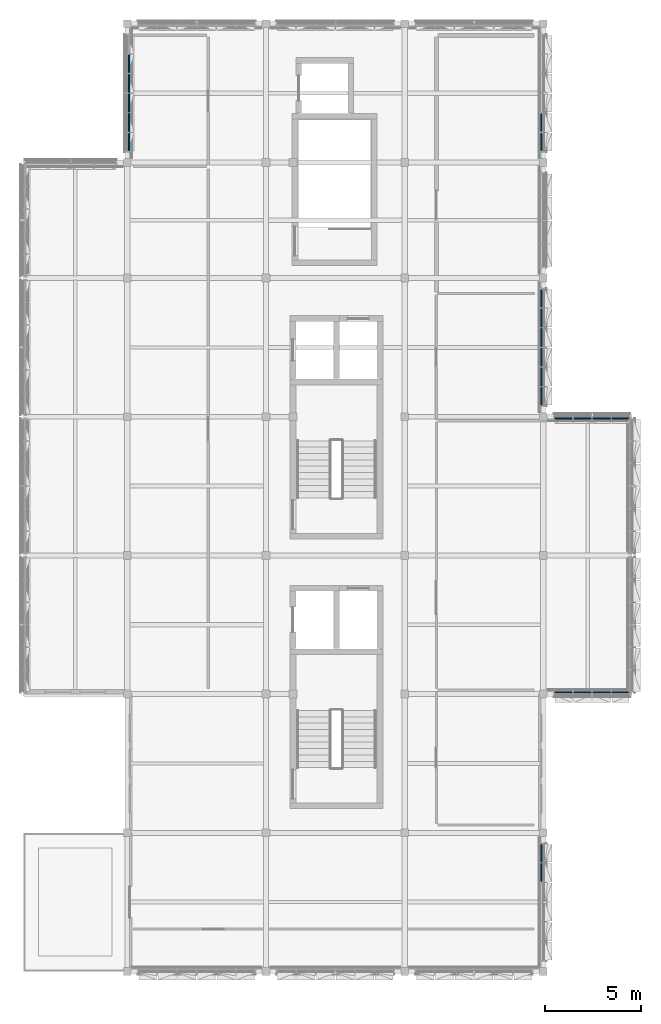
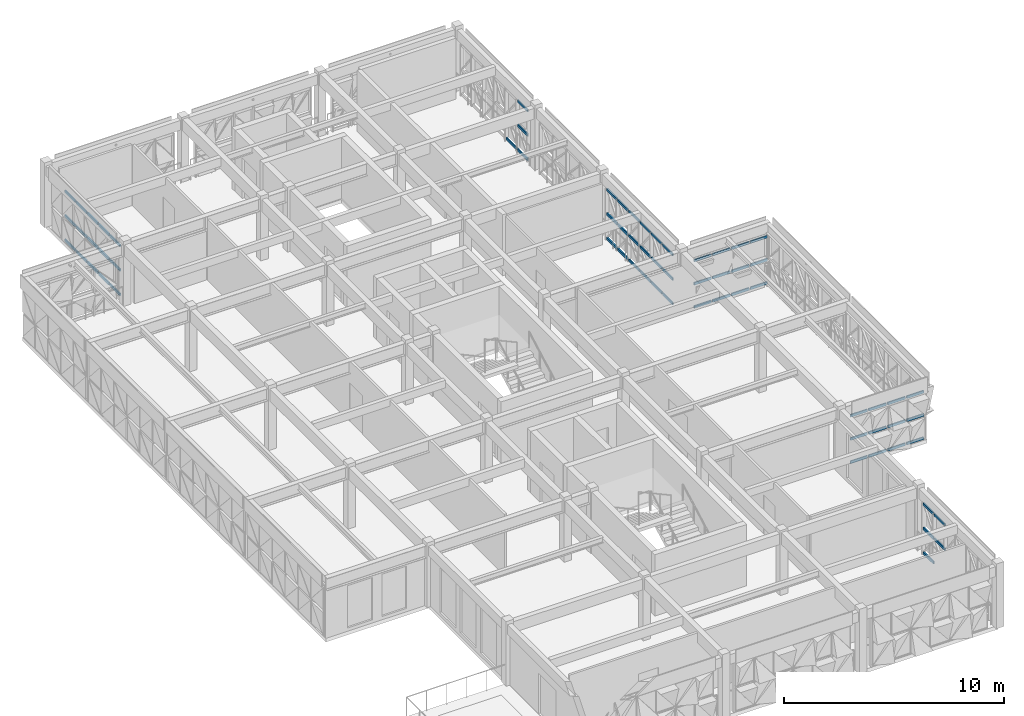
# One storey, part 9 of 25: 66 members, 6 elements without a shape of their own.
"""IFC4 building model written with IfcOpenShell, lengths in metres."""

from ifc_helpers import new_model, si_unit, direction, frame, origin, origin_2d, place, context, subcontext, project, spatial, rectangle, extrude, material, material_profile, profile_set, type_object, element, aggregate, save


model = new_model("IFC4")

# Units and contexts
model_context = context("Model", 3, precision=1e-05, world=origin(), true_north=direction((0.0, 1.0)))
body_context = subcontext(model_context, "Body", "Model", "MODEL_VIEW")
ifc_project = project(units=[si_unit("LENGTHUNIT", "METRE"), si_unit("AREAUNIT", "SQUARE_METRE"), si_unit("VOLUMEUNIT", "CUBIC_METRE"), si_unit("PLANEANGLEUNIT", "RADIAN"), si_unit("MASSUNIT", "GRAM", prefix="KILO")], contexts=[model_context])

# Site, building, storey
site_placement = place(None, origin())
site = spatial("IfcSite", under=ifc_project, at=site_placement, CompositionType="ELEMENT")
building_placement = place(site_placement, origin())
building = spatial("IfcBuilding", under=site, at=building_placement, Name="Alvorim Cloister Faculty of Sciences", CompositionType="ELEMENT")
storey_placement = place(building_placement, frame((0.0, 0.0, 29.699951171875)))
storey = spatial("IfcBuildingStorey", under=building, at=storey_placement, Name="L08", CompositionType="ELEMENT", Elevation=29.699951171875)

# Curtain wall, members
ifc_material_1 = material(Name="Aluminium and Low-E Glass Curtain Wall", Category="aluminium")
curtain_wall_type_1 = type_object("IfcCurtainWallType", Name="CW-TRI-6120x2860", PredefinedType="USERDEFINED", material=ifc_material_1)
curtain_wall_1_placement = place(storey_placement, origin())
curtain_wall_1 = element("IfcCurtainWall", 1, at=curtain_wall_1_placement, inside=storey, type_object=curtain_wall_type_1, Name="L08 Diagonal Cassette Curtain Wall CW-0286", ObjectType="UNITISED CURTAIN WALL", PredefinedType="USERDEFINED")
ifc_material_2 = material(Name="Aluminium Alloy 6063-T6", Category="aluminium")
ifc_material_profile = material_profile(ifc_material_2, rectangle(XDim=0.06494140625, YDim=0.139892578125, at=origin_2d()), Name="ALU-TRN-65x140")
ifc_profile_set = profile_set([ifc_material_profile], Name="Aluminium Alloy 6063-T6")
member_type = type_object("IfcMemberType", Name="CW-TRN-65x140", PredefinedType="USERDEFINED", material=ifc_profile_set)
member_1_placement = place(storey_placement, frame((7.2900390625, 49.804931640625, 0.070068359375), z_axis=(0.0, 1.0, 0.0), x_axis=(-1.0, 0.0, 0.0)))
member_1 = element("IfcMember", 2, at=member_1_placement, type_object=member_type, Name="CW-0286 Transom 1.1", ObjectType="TRANSOM", PredefinedType="USERDEFINED", context=body_context, shape_type="SweptSolid", body=[
    extrude(rectangle(XDim=0.06494140625, YDim=0.139892578125, at=origin_2d()), origin(), (0.0, 0.0, 1.0), 0.922607421875),
])
member_2_placement = place(storey_placement, frame((7.2900390625, 49.804931640625, 1.429931640625), z_axis=(0.0, 1.0, 0.0), x_axis=(-1.0, 0.0, 0.0)))
member_2 = element("IfcMember", 3, at=member_2_placement, type_object=member_type, Name="CW-0286 Transom 1.2", ObjectType="TRANSOM", PredefinedType="USERDEFINED", context=body_context, shape_type="SweptSolid", body=[
    extrude(rectangle(XDim=0.06494140625, YDim=0.139892578125, at=origin_2d()), origin(), (0.0, 0.0, 1.0), 0.922607421875),
])
member_3_placement = place(storey_placement, frame((7.2900390625, 49.804931640625, 2.7900390625), z_axis=(0.0, 1.0, 0.0), x_axis=(-1.0, 0.0, 0.0)))
member_3 = element("IfcMember", 4, at=member_3_placement, type_object=member_type, Name="CW-0286 Transom 1.3", ObjectType="TRANSOM", PredefinedType="USERDEFINED", context=body_context, shape_type="SweptSolid", body=[
    extrude(rectangle(XDim=0.06494140625, YDim=0.139892578125, at=origin_2d()), origin(), (0.0, 0.0, 1.0), 0.922607421875),
])
member_4_placement = place(storey_placement, frame((7.2900390625, 50.79248046875, 0.070068359375), z_axis=(0.0, 1.0, 0.0), x_axis=(-1.0, 0.0, 0.0)))
member_4 = element("IfcMember", 5, at=member_4_placement, type_object=member_type, Name="CW-0286 Transom 2.1", ObjectType="TRANSOM", PredefinedType="USERDEFINED", context=body_context, shape_type="SweptSolid", body=[
    extrude(rectangle(XDim=0.06494140625, YDim=0.139892578125, at=origin_2d()), origin(), (0.0, 0.0, 1.0), 0.955078125),
])
member_5_placement = place(storey_placement, frame((7.2900390625, 50.79248046875, 1.429931640625), z_axis=(0.0, 1.0, 0.0), x_axis=(-1.0, 0.0, 0.0)))
member_5 = element("IfcMember", 6, at=member_5_placement, type_object=member_type, Name="CW-0286 Transom 2.2", ObjectType="TRANSOM", PredefinedType="USERDEFINED", context=body_context, shape_type="SweptSolid", body=[
    extrude(rectangle(XDim=0.06494140625, YDim=0.139892578125, at=origin_2d()), origin(), (0.0, 0.0, 1.0), 0.955078125),
])
member_6_placement = place(storey_placement, frame((7.2900390625, 50.79248046875, 2.7900390625), z_axis=(0.0, 1.0, 0.0), x_axis=(-1.0, 0.0, 0.0)))
member_6 = element("IfcMember", 7, at=member_6_placement, type_object=member_type, Name="CW-0286 Transom 2.3", ObjectType="TRANSOM", PredefinedType="USERDEFINED", context=body_context, shape_type="SweptSolid", body=[
    extrude(rectangle(XDim=0.06494140625, YDim=0.139892578125, at=origin_2d()), origin(), (0.0, 0.0, 1.0), 0.955078125),
])
member_7_placement = place(storey_placement, frame((7.2900390625, 51.8125, 0.070068359375), z_axis=(0.0, 1.0, 0.0), x_axis=(-1.0, 0.0, 0.0)))
member_7 = element("IfcMember", 8, at=member_7_placement, type_object=member_type, Name="CW-0286 Transom 3.1", ObjectType="TRANSOM", PredefinedType="USERDEFINED", context=body_context, shape_type="SweptSolid", body=[
    extrude(rectangle(XDim=0.06494140625, YDim=0.139892578125, at=origin_2d()), origin(), (0.0, 0.0, 1.0), 0.955078125),
])
member_8_placement = place(storey_placement, frame((7.2900390625, 51.8125, 1.429931640625), z_axis=(0.0, 1.0, 0.0), x_axis=(-1.0, 0.0, 0.0)))
member_8 = element("IfcMember", 9, at=member_8_placement, type_object=member_type, Name="CW-0286 Transom 3.2", ObjectType="TRANSOM", PredefinedType="USERDEFINED", context=body_context, shape_type="SweptSolid", body=[
    extrude(rectangle(XDim=0.06494140625, YDim=0.139892578125, at=origin_2d()), origin(), (0.0, 0.0, 1.0), 0.955078125),
])
member_9_placement = place(storey_placement, frame((7.2900390625, 51.8125, 2.7900390625), z_axis=(0.0, 1.0, 0.0), x_axis=(-1.0, 0.0, 0.0)))
member_9 = element("IfcMember", 10, at=member_9_placement, type_object=member_type, Name="CW-0286 Transom 3.3", ObjectType="TRANSOM", PredefinedType="USERDEFINED", context=body_context, shape_type="SweptSolid", body=[
    extrude(rectangle(XDim=0.06494140625, YDim=0.139892578125, at=origin_2d()), origin(), (0.0, 0.0, 1.0), 0.955078125),
])
member_10_placement = place(storey_placement, frame((7.2900390625, 52.83251953125, 0.070068359375), z_axis=(0.0, 1.0, 0.0), x_axis=(-1.0, 0.0, 0.0)))
member_10 = element("IfcMember", 11, at=member_10_placement, type_object=member_type, Name="CW-0286 Transom 4.1", ObjectType="TRANSOM", PredefinedType="USERDEFINED", context=body_context, shape_type="SweptSolid", body=[
    extrude(rectangle(XDim=0.06494140625, YDim=0.139892578125, at=origin_2d()), origin(), (0.0, 0.0, 1.0), 0.955078125),
])
member_11_placement = place(storey_placement, frame((7.2900390625, 52.83251953125, 1.429931640625), z_axis=(0.0, 1.0, 0.0), x_axis=(-1.0, 0.0, 0.0)))
member_11 = element("IfcMember", 12, at=member_11_placement, type_object=member_type, Name="CW-0286 Transom 4.2", ObjectType="TRANSOM", PredefinedType="USERDEFINED", context=body_context, shape_type="SweptSolid", body=[
    extrude(rectangle(XDim=0.06494140625, YDim=0.139892578125, at=origin_2d()), origin(), (0.0, 0.0, 1.0), 0.955078125),
])
member_12_placement = place(storey_placement, frame((7.2900390625, 52.83251953125, 2.7900390625), z_axis=(0.0, 1.0, 0.0), x_axis=(-1.0, 0.0, 0.0)))
member_12 = element("IfcMember", 13, at=member_12_placement, type_object=member_type, Name="CW-0286 Transom 4.3", ObjectType="TRANSOM", PredefinedType="USERDEFINED", context=body_context, shape_type="SweptSolid", body=[
    extrude(rectangle(XDim=0.06494140625, YDim=0.139892578125, at=origin_2d()), origin(), (0.0, 0.0, 1.0), 0.955078125),
])
member_13_placement = place(storey_placement, frame((7.2900390625, 53.8525390625, 0.070068359375), z_axis=(0.0, 1.0, 0.0), x_axis=(-1.0, 0.0, 0.0)))
member_13 = element("IfcMember", 14, at=member_13_placement, type_object=member_type, Name="CW-0286 Transom 5.1", ObjectType="TRANSOM", PredefinedType="USERDEFINED", context=body_context, shape_type="SweptSolid", body=[
    extrude(rectangle(XDim=0.06494140625, YDim=0.139892578125, at=origin_2d()), origin(), (0.0, 0.0, 1.0), 0.955078125),
])
member_14_placement = place(storey_placement, frame((7.2900390625, 53.8525390625, 1.429931640625), z_axis=(0.0, 1.0, 0.0), x_axis=(-1.0, 0.0, 0.0)))
member_14 = element("IfcMember", 15, at=member_14_placement, type_object=member_type, Name="CW-0286 Transom 5.2", ObjectType="TRANSOM", PredefinedType="USERDEFINED", context=body_context, shape_type="SweptSolid", body=[
    extrude(rectangle(XDim=0.06494140625, YDim=0.139892578125, at=origin_2d()), origin(), (0.0, 0.0, 1.0), 0.955078125),
])
member_15_placement = place(storey_placement, frame((7.2900390625, 53.8525390625, 2.7900390625), z_axis=(0.0, 1.0, 0.0), x_axis=(-1.0, 0.0, 0.0)))
member_15 = element("IfcMember", 16, at=member_15_placement, type_object=member_type, Name="CW-0286 Transom 5.3", ObjectType="TRANSOM", PredefinedType="USERDEFINED", context=body_context, shape_type="SweptSolid", body=[
    extrude(rectangle(XDim=0.06494140625, YDim=0.139892578125, at=origin_2d()), origin(), (0.0, 0.0, 1.0), 0.955078125),
])
aggregate(curtain_wall_1, [member_1, member_2, member_3, member_4, member_5, member_6, member_7, member_8, member_9, member_10, member_11, member_12, member_13, member_14, member_15])

curtain_wall_2_placement = place(storey_placement, origin())
curtain_wall_2 = element("IfcCurtainWall", 17, at=curtain_wall_2_placement, inside=storey, type_object=curtain_wall_type_1, Name="L08 Diagonal Cassette Curtain Wall CW-0290", ObjectType="UNITISED CURTAIN WALL", PredefinedType="USERDEFINED")
member_16_placement = place(storey_placement, frame((28.7099609375, 49.804931640625, 0.070068359375), z_axis=(0.0, 1.0, 0.0), x_axis=(-1.0, 0.0, 0.0)))
member_16 = element("IfcMember", 18, at=member_16_placement, type_object=member_type, Name="CW-0290 Transom 1.1", ObjectType="TRANSOM", PredefinedType="USERDEFINED", context=body_context, shape_type="SweptSolid", body=[
    extrude(rectangle(XDim=0.06494140625, YDim=0.139892578125, at=origin_2d()), origin(), (0.0, 0.0, 1.0), 0.922607421875),
])
member_17_placement = place(storey_placement, frame((28.7099609375, 49.804931640625, 1.429931640625), z_axis=(0.0, 1.0, 0.0), x_axis=(-1.0, 0.0, 0.0)))
member_17 = element("IfcMember", 19, at=member_17_placement, type_object=member_type, Name="CW-0290 Transom 1.2", ObjectType="TRANSOM", PredefinedType="USERDEFINED", context=body_context, shape_type="SweptSolid", body=[
    extrude(rectangle(XDim=0.06494140625, YDim=0.139892578125, at=origin_2d()), origin(), (0.0, 0.0, 1.0), 0.922607421875),
])
member_18_placement = place(storey_placement, frame((28.7099609375, 49.804931640625, 2.7900390625), z_axis=(0.0, 1.0, 0.0), x_axis=(-1.0, 0.0, 0.0)))
member_18 = element("IfcMember", 20, at=member_18_placement, type_object=member_type, Name="CW-0290 Transom 1.3", ObjectType="TRANSOM", PredefinedType="USERDEFINED", context=body_context, shape_type="SweptSolid", body=[
    extrude(rectangle(XDim=0.06494140625, YDim=0.139892578125, at=origin_2d()), origin(), (0.0, 0.0, 1.0), 0.922607421875),
])
member_19_placement = place(storey_placement, frame((28.7099609375, 50.79248046875, 0.070068359375), z_axis=(0.0, 1.0, 0.0), x_axis=(-1.0, 0.0, 0.0)))
member_19 = element("IfcMember", 21, at=member_19_placement, type_object=member_type, Name="CW-0290 Transom 2.1", ObjectType="TRANSOM", PredefinedType="USERDEFINED", context=body_context, shape_type="SweptSolid", body=[
    extrude(rectangle(XDim=0.06494140625, YDim=0.139892578125, at=origin_2d()), origin(), (0.0, 0.0, 1.0), 0.955078125),
])
aggregate(curtain_wall_2, [member_16, member_17, member_18, member_19])

curtain_wall_3_placement = place(storey_placement, origin())
curtain_wall_3 = element("IfcCurtainWall", 22, at=curtain_wall_3_placement, inside=storey, type_object=curtain_wall_type_1, Name="L08 Diagonal Cassette Curtain Wall CW-0292", ObjectType="UNITISED CURTAIN WALL", PredefinedType="USERDEFINED")
member_20_placement = place(storey_placement, frame((28.7099609375, 36.60498046875, 0.070068359375), z_axis=(0.0, 1.0, 0.0), x_axis=(-1.0, 0.0, 0.0)))
member_20 = element("IfcMember", 23, at=member_20_placement, type_object=member_type, Name="CW-0292 Transom 1.1", ObjectType="TRANSOM", PredefinedType="USERDEFINED", context=body_context, shape_type="SweptSolid", body=[
    extrude(rectangle(XDim=0.06494140625, YDim=0.139892578125, at=origin_2d()), origin(), (0.0, 0.0, 1.0), 0.922607421875),
])
member_21_placement = place(storey_placement, frame((28.7099609375, 36.60498046875, 1.429931640625), z_axis=(0.0, 1.0, 0.0), x_axis=(-1.0, 0.0, 0.0)))
member_21 = element("IfcMember", 24, at=member_21_placement, type_object=member_type, Name="CW-0292 Transom 1.2", ObjectType="TRANSOM", PredefinedType="USERDEFINED", context=body_context, shape_type="SweptSolid", body=[
    extrude(rectangle(XDim=0.06494140625, YDim=0.139892578125, at=origin_2d()), origin(), (0.0, 0.0, 1.0), 0.922607421875),
])
member_22_placement = place(storey_placement, frame((28.7099609375, 36.60498046875, 2.7900390625), z_axis=(0.0, 1.0, 0.0), x_axis=(-1.0, 0.0, 0.0)))
member_22 = element("IfcMember", 25, at=member_22_placement, type_object=member_type, Name="CW-0292 Transom 1.3", ObjectType="TRANSOM", PredefinedType="USERDEFINED", context=body_context, shape_type="SweptSolid", body=[
    extrude(rectangle(XDim=0.06494140625, YDim=0.139892578125, at=origin_2d()), origin(), (0.0, 0.0, 1.0), 0.922607421875),
])
member_23_placement = place(storey_placement, frame((28.7099609375, 37.592529296875, 0.070068359375), z_axis=(0.0, 1.0, 0.0), x_axis=(-1.0, 0.0, 0.0)))
member_23 = element("IfcMember", 26, at=member_23_placement, type_object=member_type, Name="CW-0292 Transom 2.1", ObjectType="TRANSOM", PredefinedType="USERDEFINED", context=body_context, shape_type="SweptSolid", body=[
    extrude(rectangle(XDim=0.06494140625, YDim=0.139892578125, at=origin_2d()), origin(), (0.0, 0.0, 1.0), 0.955078125),
])
member_24_placement = place(storey_placement, frame((28.7099609375, 37.592529296875, 1.429931640625), z_axis=(0.0, 1.0, 0.0), x_axis=(-1.0, 0.0, 0.0)))
member_24 = element("IfcMember", 27, at=member_24_placement, type_object=member_type, Name="CW-0292 Transom 2.2", ObjectType="TRANSOM", PredefinedType="USERDEFINED", context=body_context, shape_type="SweptSolid", body=[
    extrude(rectangle(XDim=0.06494140625, YDim=0.139892578125, at=origin_2d()), origin(), (0.0, 0.0, 1.0), 0.955078125),
])
member_25_placement = place(storey_placement, frame((28.7099609375, 37.592529296875, 2.7900390625), z_axis=(0.0, 1.0, 0.0), x_axis=(-1.0, 0.0, 0.0)))
member_25 = element("IfcMember", 28, at=member_25_placement, type_object=member_type, Name="CW-0292 Transom 2.3", ObjectType="TRANSOM", PredefinedType="USERDEFINED", context=body_context, shape_type="SweptSolid", body=[
    extrude(rectangle(XDim=0.06494140625, YDim=0.139892578125, at=origin_2d()), origin(), (0.0, 0.0, 1.0), 0.955078125),
])
member_26_placement = place(storey_placement, frame((28.7099609375, 38.612548828125, 0.070068359375), z_axis=(0.0, 1.0, 0.0), x_axis=(-1.0, 0.0, 0.0)))
member_26 = element("IfcMember", 29, at=member_26_placement, type_object=member_type, Name="CW-0292 Transom 3.1", ObjectType="TRANSOM", PredefinedType="USERDEFINED", context=body_context, shape_type="SweptSolid", body=[
    extrude(rectangle(XDim=0.06494140625, YDim=0.139892578125, at=origin_2d()), origin(), (0.0, 0.0, 1.0), 0.954833984375),
])
member_27_placement = place(storey_placement, frame((28.7099609375, 38.612548828125, 1.429931640625), z_axis=(0.0, 1.0, 0.0), x_axis=(-1.0, 0.0, 0.0)))
member_27 = element("IfcMember", 30, at=member_27_placement, type_object=member_type, Name="CW-0292 Transom 3.2", ObjectType="TRANSOM", PredefinedType="USERDEFINED", context=body_context, shape_type="SweptSolid", body=[
    extrude(rectangle(XDim=0.06494140625, YDim=0.139892578125, at=origin_2d()), origin(), (0.0, 0.0, 1.0), 0.954833984375),
])
member_28_placement = place(storey_placement, frame((28.7099609375, 38.612548828125, 2.7900390625), z_axis=(0.0, 1.0, 0.0), x_axis=(-1.0, 0.0, 0.0)))
member_28 = element("IfcMember", 31, at=member_28_placement, type_object=member_type, Name="CW-0292 Transom 3.3", ObjectType="TRANSOM", PredefinedType="USERDEFINED", context=body_context, shape_type="SweptSolid", body=[
    extrude(rectangle(XDim=0.06494140625, YDim=0.139892578125, at=origin_2d()), origin(), (0.0, 0.0, 1.0), 0.954833984375),
])
member_29_placement = place(storey_placement, frame((28.7099609375, 39.632568359375, 0.070068359375), z_axis=(0.0, 1.0, 0.0), x_axis=(-1.0, 0.0, 0.0)))
member_29 = element("IfcMember", 32, at=member_29_placement, type_object=member_type, Name="CW-0292 Transom 4.1", ObjectType="TRANSOM", PredefinedType="USERDEFINED", context=body_context, shape_type="SweptSolid", body=[
    extrude(rectangle(XDim=0.06494140625, YDim=0.139892578125, at=origin_2d()), origin(), (0.0, 0.0, 1.0), 0.954833984375),
])
member_30_placement = place(storey_placement, frame((28.7099609375, 39.632568359375, 1.429931640625), z_axis=(0.0, 1.0, 0.0), x_axis=(-1.0, 0.0, 0.0)))
member_30 = element("IfcMember", 33, at=member_30_placement, type_object=member_type, Name="CW-0292 Transom 4.2", ObjectType="TRANSOM", PredefinedType="USERDEFINED", context=body_context, shape_type="SweptSolid", body=[
    extrude(rectangle(XDim=0.06494140625, YDim=0.139892578125, at=origin_2d()), origin(), (0.0, 0.0, 1.0), 0.954833984375),
])
member_31_placement = place(storey_placement, frame((28.7099609375, 39.632568359375, 2.7900390625), z_axis=(0.0, 1.0, 0.0), x_axis=(-1.0, 0.0, 0.0)))
member_31 = element("IfcMember", 34, at=member_31_placement, type_object=member_type, Name="CW-0292 Transom 4.3", ObjectType="TRANSOM", PredefinedType="USERDEFINED", context=body_context, shape_type="SweptSolid", body=[
    extrude(rectangle(XDim=0.06494140625, YDim=0.139892578125, at=origin_2d()), origin(), (0.0, 0.0, 1.0), 0.954833984375),
])
member_32_placement = place(storey_placement, frame((28.7099609375, 40.652587890625, 0.070068359375), z_axis=(0.0, 1.0, 0.0), x_axis=(-1.0, 0.0, 0.0)))
member_32 = element("IfcMember", 35, at=member_32_placement, type_object=member_type, Name="CW-0292 Transom 5.1", ObjectType="TRANSOM", PredefinedType="USERDEFINED", context=body_context, shape_type="SweptSolid", body=[
    extrude(rectangle(XDim=0.06494140625, YDim=0.139892578125, at=origin_2d()), origin(), (0.0, 0.0, 1.0), 0.954833984375),
])
member_33_placement = place(storey_placement, frame((28.7099609375, 40.652587890625, 1.429931640625), z_axis=(0.0, 1.0, 0.0), x_axis=(-1.0, 0.0, 0.0)))
member_33 = element("IfcMember", 36, at=member_33_placement, type_object=member_type, Name="CW-0292 Transom 5.2", ObjectType="TRANSOM", PredefinedType="USERDEFINED", context=body_context, shape_type="SweptSolid", body=[
    extrude(rectangle(XDim=0.06494140625, YDim=0.139892578125, at=origin_2d()), origin(), (0.0, 0.0, 1.0), 0.954833984375),
])
member_34_placement = place(storey_placement, frame((28.7099609375, 40.652587890625, 2.7900390625), z_axis=(0.0, 1.0, 0.0), x_axis=(-1.0, 0.0, 0.0)))
member_34 = element("IfcMember", 37, at=member_34_placement, type_object=member_type, Name="CW-0292 Transom 5.3", ObjectType="TRANSOM", PredefinedType="USERDEFINED", context=body_context, shape_type="SweptSolid", body=[
    extrude(rectangle(XDim=0.06494140625, YDim=0.139892578125, at=origin_2d()), origin(), (0.0, 0.0, 1.0), 0.954833984375),
])
member_35_placement = place(storey_placement, frame((28.7099609375, 41.672607421875, 0.070068359375), z_axis=(0.0, 1.0, 0.0), x_axis=(-1.0, 0.0, 0.0)))
member_35 = element("IfcMember", 38, at=member_35_placement, type_object=member_type, Name="CW-0292 Transom 6.1", ObjectType="TRANSOM", PredefinedType="USERDEFINED", context=body_context, shape_type="SweptSolid", body=[
    extrude(rectangle(XDim=0.06494140625, YDim=0.139892578125, at=origin_2d()), origin(), (0.0, 0.0, 1.0), 0.92236328125),
])
member_36_placement = place(storey_placement, frame((28.7099609375, 41.672607421875, 1.429931640625), z_axis=(0.0, 1.0, 0.0), x_axis=(-1.0, 0.0, 0.0)))
member_36 = element("IfcMember", 39, at=member_36_placement, type_object=member_type, Name="CW-0292 Transom 6.2", ObjectType="TRANSOM", PredefinedType="USERDEFINED", context=body_context, shape_type="SweptSolid", body=[
    extrude(rectangle(XDim=0.06494140625, YDim=0.139892578125, at=origin_2d()), origin(), (0.0, 0.0, 1.0), 0.92236328125),
])
member_37_placement = place(storey_placement, frame((28.7099609375, 41.672607421875, 2.7900390625), z_axis=(0.0, 1.0, 0.0), x_axis=(-1.0, 0.0, 0.0)))
member_37 = element("IfcMember", 40, at=member_37_placement, type_object=member_type, Name="CW-0292 Transom 6.3", ObjectType="TRANSOM", PredefinedType="USERDEFINED", context=body_context, shape_type="SweptSolid", body=[
    extrude(rectangle(XDim=0.06494140625, YDim=0.139892578125, at=origin_2d()), origin(), (0.0, 0.0, 1.0), 0.92236328125),
])
aggregate(curtain_wall_3, [member_20, member_21, member_22, member_23, member_24, member_25, member_26, member_27, member_28, member_29, member_30, member_31, member_32, member_33, member_34, member_35, member_36, member_37])

curtain_wall_type_2 = type_object("IfcCurtainWallType", Name="CW-TRI-3980x2716", PredefinedType="USERDEFINED", material=ifc_material_1)
curtain_wall_4_placement = place(storey_placement, origin())
curtain_wall_4 = element("IfcCurtainWall", 41, at=curtain_wall_4_placement, inside=storey, type_object=curtain_wall_type_2, Name="L08 Diagonal Cassette Curtain Wall CW-0293", ObjectType="UNITISED CURTAIN WALL", PredefinedType="USERDEFINED")
member_38_placement = place(storey_placement, frame((29.405029296875, 35.909912109375, 0.070068359375), z_axis=(1.0, 0.0, 0.0), x_axis=(0.0, 1.0, 0.0)))
member_38 = element("IfcMember", 42, at=member_38_placement, type_object=member_type, Name="CW-0293 Transom 1.1", ObjectType="TRANSOM", PredefinedType="USERDEFINED", context=body_context, shape_type="SweptSolid", body=[
    extrude(rectangle(XDim=0.06494140625, YDim=0.139892578125, at=origin_2d()), origin(), (0.0, 0.0, 1.0), 0.8974609375),
])
member_39_placement = place(storey_placement, frame((29.405029296875, 35.909912109375, 1.358154296875), z_axis=(1.0, 0.0, 0.0), x_axis=(0.0, 1.0, 0.0)))
member_39 = element("IfcMember", 43, at=member_39_placement, type_object=member_type, Name="CW-0293 Transom 1.2", ObjectType="TRANSOM", PredefinedType="USERDEFINED", context=body_context, shape_type="SweptSolid", body=[
    extrude(rectangle(XDim=0.06494140625, YDim=0.139892578125, at=origin_2d()), origin(), (0.0, 0.0, 1.0), 0.8974609375),
])
member_40_placement = place(storey_placement, frame((29.405029296875, 35.909912109375, 2.64599609375), z_axis=(1.0, 0.0, 0.0), x_axis=(0.0, 1.0, 0.0)))
member_40 = element("IfcMember", 44, at=member_40_placement, type_object=member_type, Name="CW-0293 Transom 1.3", ObjectType="TRANSOM", PredefinedType="USERDEFINED", context=body_context, shape_type="SweptSolid", body=[
    extrude(rectangle(XDim=0.06494140625, YDim=0.139892578125, at=origin_2d()), origin(), (0.0, 0.0, 1.0), 0.8974609375),
])
member_41_placement = place(storey_placement, frame((30.367431640625, 35.909912109375, 0.070068359375), z_axis=(1.0, 0.0, 0.0), x_axis=(0.0, 1.0, 0.0)))
member_41 = element("IfcMember", 45, at=member_41_placement, type_object=member_type, Name="CW-0293 Transom 2.1", ObjectType="TRANSOM", PredefinedType="USERDEFINED", context=body_context, shape_type="SweptSolid", body=[
    extrude(rectangle(XDim=0.06494140625, YDim=0.139892578125, at=origin_2d()), origin(), (0.0, 0.0, 1.0), 0.93017578125),
])
member_42_placement = place(storey_placement, frame((30.367431640625, 35.909912109375, 1.358154296875), z_axis=(1.0, 0.0, 0.0), x_axis=(0.0, 1.0, 0.0)))
member_42 = element("IfcMember", 46, at=member_42_placement, type_object=member_type, Name="CW-0293 Transom 2.2", ObjectType="TRANSOM", PredefinedType="USERDEFINED", context=body_context, shape_type="SweptSolid", body=[
    extrude(rectangle(XDim=0.06494140625, YDim=0.139892578125, at=origin_2d()), origin(), (0.0, 0.0, 1.0), 0.93017578125),
])
member_43_placement = place(storey_placement, frame((30.367431640625, 35.909912109375, 2.64599609375), z_axis=(1.0, 0.0, 0.0), x_axis=(0.0, 1.0, 0.0)))
member_43 = element("IfcMember", 47, at=member_43_placement, type_object=member_type, Name="CW-0293 Transom 2.3", ObjectType="TRANSOM", PredefinedType="USERDEFINED", context=body_context, shape_type="SweptSolid", body=[
    extrude(rectangle(XDim=0.06494140625, YDim=0.139892578125, at=origin_2d()), origin(), (0.0, 0.0, 1.0), 0.93017578125),
])
member_44_placement = place(storey_placement, frame((31.362548828125, 35.909912109375, 0.070068359375), z_axis=(1.0, 0.0, 0.0), x_axis=(0.0, 1.0, 0.0)))
member_44 = element("IfcMember", 48, at=member_44_placement, type_object=member_type, Name="CW-0293 Transom 3.1", ObjectType="TRANSOM", PredefinedType="USERDEFINED", context=body_context, shape_type="SweptSolid", body=[
    extrude(rectangle(XDim=0.06494140625, YDim=0.139892578125, at=origin_2d()), origin(), (0.0, 0.0, 1.0), 0.929931640625),
])
member_45_placement = place(storey_placement, frame((31.362548828125, 35.909912109375, 1.358154296875), z_axis=(1.0, 0.0, 0.0), x_axis=(0.0, 1.0, 0.0)))
member_45 = element("IfcMember", 49, at=member_45_placement, type_object=member_type, Name="CW-0293 Transom 3.2", ObjectType="TRANSOM", PredefinedType="USERDEFINED", context=body_context, shape_type="SweptSolid", body=[
    extrude(rectangle(XDim=0.06494140625, YDim=0.139892578125, at=origin_2d()), origin(), (0.0, 0.0, 1.0), 0.929931640625),
])
member_46_placement = place(storey_placement, frame((31.362548828125, 35.909912109375, 2.64599609375), z_axis=(1.0, 0.0, 0.0), x_axis=(0.0, 1.0, 0.0)))
member_46 = element("IfcMember", 50, at=member_46_placement, type_object=member_type, Name="CW-0293 Transom 3.3", ObjectType="TRANSOM", PredefinedType="USERDEFINED", context=body_context, shape_type="SweptSolid", body=[
    extrude(rectangle(XDim=0.06494140625, YDim=0.139892578125, at=origin_2d()), origin(), (0.0, 0.0, 1.0), 0.929931640625),
])
member_47_placement = place(storey_placement, frame((32.357421875, 35.909912109375, 0.070068359375), z_axis=(1.0, 0.0, 0.0), x_axis=(0.0, 1.0, 0.0)))
member_47 = element("IfcMember", 51, at=member_47_placement, type_object=member_type, Name="CW-0293 Transom 4.1", ObjectType="TRANSOM", PredefinedType="USERDEFINED", context=body_context, shape_type="SweptSolid", body=[
    extrude(rectangle(XDim=0.06494140625, YDim=0.139892578125, at=origin_2d()), origin(), (0.0, 0.0, 1.0), 0.8974609375),
])
member_48_placement = place(storey_placement, frame((32.357421875, 35.909912109375, 1.358154296875), z_axis=(1.0, 0.0, 0.0), x_axis=(0.0, 1.0, 0.0)))
member_48 = element("IfcMember", 52, at=member_48_placement, type_object=member_type, Name="CW-0293 Transom 4.2", ObjectType="TRANSOM", PredefinedType="USERDEFINED", context=body_context, shape_type="SweptSolid", body=[
    extrude(rectangle(XDim=0.06494140625, YDim=0.139892578125, at=origin_2d()), origin(), (0.0, 0.0, 1.0), 0.8974609375),
])
member_49_placement = place(storey_placement, frame((32.357421875, 35.909912109375, 2.64599609375), z_axis=(1.0, 0.0, 0.0), x_axis=(0.0, 1.0, 0.0)))
member_49 = element("IfcMember", 53, at=member_49_placement, type_object=member_type, Name="CW-0293 Transom 4.3", ObjectType="TRANSOM", PredefinedType="USERDEFINED", context=body_context, shape_type="SweptSolid", body=[
    extrude(rectangle(XDim=0.06494140625, YDim=0.139892578125, at=origin_2d()), origin(), (0.0, 0.0, 1.0), 0.8974609375),
])
aggregate(curtain_wall_4, [member_38, member_39, member_40, member_41, member_42, member_43, member_44, member_45, member_46, member_47, member_48, member_49])

curtain_wall_5_placement = place(storey_placement, origin())
curtain_wall_5 = element("IfcCurtainWall", 54, at=curtain_wall_5_placement, inside=storey, type_object=curtain_wall_type_2, Name="L08 Diagonal Cassette Curtain Wall CW-0296", ObjectType="UNITISED CURTAIN WALL", PredefinedType="USERDEFINED")
member_50_placement = place(storey_placement, frame((29.405029296875, 21.68994140625, 0.070068359375), z_axis=(1.0, 0.0, 0.0), x_axis=(0.0, 1.0, 0.0)))
member_50 = element("IfcMember", 55, at=member_50_placement, type_object=member_type, Name="CW-0296 Transom 1.1", ObjectType="TRANSOM", PredefinedType="USERDEFINED", context=body_context, shape_type="SweptSolid", body=[
    extrude(rectangle(XDim=0.06494140625, YDim=0.139892578125, at=origin_2d()), origin(), (0.0, 0.0, 1.0), 0.8974609375),
])
member_51_placement = place(storey_placement, frame((29.405029296875, 21.68994140625, 1.358154296875), z_axis=(1.0, 0.0, 0.0), x_axis=(0.0, 1.0, 0.0)))
member_51 = element("IfcMember", 56, at=member_51_placement, type_object=member_type, Name="CW-0296 Transom 1.2", ObjectType="TRANSOM", PredefinedType="USERDEFINED", context=body_context, shape_type="SweptSolid", body=[
    extrude(rectangle(XDim=0.06494140625, YDim=0.139892578125, at=origin_2d()), origin(), (0.0, 0.0, 1.0), 0.8974609375),
])
member_52_placement = place(storey_placement, frame((29.405029296875, 21.68994140625, 2.64599609375), z_axis=(1.0, 0.0, 0.0), x_axis=(0.0, 1.0, 0.0)))
member_52 = element("IfcMember", 57, at=member_52_placement, type_object=member_type, Name="CW-0296 Transom 1.3", ObjectType="TRANSOM", PredefinedType="USERDEFINED", context=body_context, shape_type="SweptSolid", body=[
    extrude(rectangle(XDim=0.06494140625, YDim=0.139892578125, at=origin_2d()), origin(), (0.0, 0.0, 1.0), 0.8974609375),
])
member_53_placement = place(storey_placement, frame((30.367431640625, 21.68994140625, 0.070068359375), z_axis=(1.0, 0.0, 0.0), x_axis=(0.0, 1.0, 0.0)))
member_53 = element("IfcMember", 58, at=member_53_placement, type_object=member_type, Name="CW-0296 Transom 2.1", ObjectType="TRANSOM", PredefinedType="USERDEFINED", context=body_context, shape_type="SweptSolid", body=[
    extrude(rectangle(XDim=0.06494140625, YDim=0.139892578125, at=origin_2d()), origin(), (0.0, 0.0, 1.0), 0.93017578125),
])
member_54_placement = place(storey_placement, frame((30.367431640625, 21.68994140625, 1.358154296875), z_axis=(1.0, 0.0, 0.0), x_axis=(0.0, 1.0, 0.0)))
member_54 = element("IfcMember", 59, at=member_54_placement, type_object=member_type, Name="CW-0296 Transom 2.2", ObjectType="TRANSOM", PredefinedType="USERDEFINED", context=body_context, shape_type="SweptSolid", body=[
    extrude(rectangle(XDim=0.06494140625, YDim=0.139892578125, at=origin_2d()), origin(), (0.0, 0.0, 1.0), 0.93017578125),
])
member_55_placement = place(storey_placement, frame((30.367431640625, 21.68994140625, 2.64599609375), z_axis=(1.0, 0.0, 0.0), x_axis=(0.0, 1.0, 0.0)))
member_55 = element("IfcMember", 60, at=member_55_placement, type_object=member_type, Name="CW-0296 Transom 2.3", ObjectType="TRANSOM", PredefinedType="USERDEFINED", context=body_context, shape_type="SweptSolid", body=[
    extrude(rectangle(XDim=0.06494140625, YDim=0.139892578125, at=origin_2d()), origin(), (0.0, 0.0, 1.0), 0.93017578125),
])
member_56_placement = place(storey_placement, frame((31.362548828125, 21.68994140625, 0.070068359375), z_axis=(1.0, 0.0, 0.0), x_axis=(0.0, 1.0, 0.0)))
member_56 = element("IfcMember", 61, at=member_56_placement, type_object=member_type, Name="CW-0296 Transom 3.1", ObjectType="TRANSOM", PredefinedType="USERDEFINED", context=body_context, shape_type="SweptSolid", body=[
    extrude(rectangle(XDim=0.06494140625, YDim=0.139892578125, at=origin_2d()), origin(), (0.0, 0.0, 1.0), 0.929931640625),
])
member_57_placement = place(storey_placement, frame((31.362548828125, 21.68994140625, 1.358154296875), z_axis=(1.0, 0.0, 0.0), x_axis=(0.0, 1.0, 0.0)))
member_57 = element("IfcMember", 62, at=member_57_placement, type_object=member_type, Name="CW-0296 Transom 3.2", ObjectType="TRANSOM", PredefinedType="USERDEFINED", context=body_context, shape_type="SweptSolid", body=[
    extrude(rectangle(XDim=0.06494140625, YDim=0.139892578125, at=origin_2d()), origin(), (0.0, 0.0, 1.0), 0.929931640625),
])
member_58_placement = place(storey_placement, frame((31.362548828125, 21.68994140625, 2.64599609375), z_axis=(1.0, 0.0, 0.0), x_axis=(0.0, 1.0, 0.0)))
member_58 = element("IfcMember", 63, at=member_58_placement, type_object=member_type, Name="CW-0296 Transom 3.3", ObjectType="TRANSOM", PredefinedType="USERDEFINED", context=body_context, shape_type="SweptSolid", body=[
    extrude(rectangle(XDim=0.06494140625, YDim=0.139892578125, at=origin_2d()), origin(), (0.0, 0.0, 1.0), 0.929931640625),
])
member_59_placement = place(storey_placement, frame((32.357421875, 21.68994140625, 0.070068359375), z_axis=(1.0, 0.0, 0.0), x_axis=(0.0, 1.0, 0.0)))
member_59 = element("IfcMember", 64, at=member_59_placement, type_object=member_type, Name="CW-0296 Transom 4.1", ObjectType="TRANSOM", PredefinedType="USERDEFINED", context=body_context, shape_type="SweptSolid", body=[
    extrude(rectangle(XDim=0.06494140625, YDim=0.139892578125, at=origin_2d()), origin(), (0.0, 0.0, 1.0), 0.8974609375),
])
member_60_placement = place(storey_placement, frame((32.357421875, 21.68994140625, 1.358154296875), z_axis=(1.0, 0.0, 0.0), x_axis=(0.0, 1.0, 0.0)))
member_60 = element("IfcMember", 65, at=member_60_placement, type_object=member_type, Name="CW-0296 Transom 4.2", ObjectType="TRANSOM", PredefinedType="USERDEFINED", context=body_context, shape_type="SweptSolid", body=[
    extrude(rectangle(XDim=0.06494140625, YDim=0.139892578125, at=origin_2d()), origin(), (0.0, 0.0, 1.0), 0.8974609375),
])
member_61_placement = place(storey_placement, frame((32.357421875, 21.68994140625, 2.64599609375), z_axis=(1.0, 0.0, 0.0), x_axis=(0.0, 1.0, 0.0)))
member_61 = element("IfcMember", 66, at=member_61_placement, type_object=member_type, Name="CW-0296 Transom 4.3", ObjectType="TRANSOM", PredefinedType="USERDEFINED", context=body_context, shape_type="SweptSolid", body=[
    extrude(rectangle(XDim=0.06494140625, YDim=0.139892578125, at=origin_2d()), origin(), (0.0, 0.0, 1.0), 0.8974609375),
])
aggregate(curtain_wall_5, [member_50, member_51, member_52, member_53, member_54, member_55, member_56, member_57, member_58, member_59, member_60, member_61])

curtain_wall_6_placement = place(storey_placement, origin())
curtain_wall_6 = element("IfcCurtainWall", 67, at=curtain_wall_6_placement, inside=storey, type_object=curtain_wall_type_1, Name="L08 Diagonal Cassette Curtain Wall CW-0297", ObjectType="UNITISED CURTAIN WALL", PredefinedType="USERDEFINED")
member_62_placement = place(storey_placement, frame((28.7099609375, 11.8525390625, 1.429931640625), z_axis=(0.0, 1.0, 0.0), x_axis=(-1.0, 0.0, 0.0)))
member_62 = element("IfcMember", 68, at=member_62_placement, type_object=member_type, Name="CW-0297 Transom 5.2", ObjectType="TRANSOM", PredefinedType="USERDEFINED", context=body_context, shape_type="SweptSolid", body=[
    extrude(rectangle(XDim=0.06494140625, YDim=0.139892578125, at=origin_2d()), origin(), (0.0, 0.0, 1.0), 0.955078125),
])
member_63_placement = place(storey_placement, frame((28.7099609375, 11.8525390625, 2.7900390625), z_axis=(0.0, 1.0, 0.0), x_axis=(-1.0, 0.0, 0.0)))
member_63 = element("IfcMember", 69, at=member_63_placement, type_object=member_type, Name="CW-0297 Transom 5.3", ObjectType="TRANSOM", PredefinedType="USERDEFINED", context=body_context, shape_type="SweptSolid", body=[
    extrude(rectangle(XDim=0.06494140625, YDim=0.139892578125, at=origin_2d()), origin(), (0.0, 0.0, 1.0), 0.955078125),
])
member_64_placement = place(storey_placement, frame((28.7099609375, 12.87255859375, 0.070068359375), z_axis=(0.0, 1.0, 0.0), x_axis=(-1.0, 0.0, 0.0)))
member_64 = element("IfcMember", 70, at=member_64_placement, type_object=member_type, Name="CW-0297 Transom 6.1", ObjectType="TRANSOM", PredefinedType="USERDEFINED", context=body_context, shape_type="SweptSolid", body=[
    extrude(rectangle(XDim=0.06494140625, YDim=0.139892578125, at=origin_2d()), origin(), (0.0, 0.0, 1.0), 0.92236328125),
])
member_65_placement = place(storey_placement, frame((28.7099609375, 12.87255859375, 1.429931640625), z_axis=(0.0, 1.0, 0.0), x_axis=(-1.0, 0.0, 0.0)))
member_65 = element("IfcMember", 71, at=member_65_placement, type_object=member_type, Name="CW-0297 Transom 6.2", ObjectType="TRANSOM", PredefinedType="USERDEFINED", context=body_context, shape_type="SweptSolid", body=[
    extrude(rectangle(XDim=0.06494140625, YDim=0.139892578125, at=origin_2d()), origin(), (0.0, 0.0, 1.0), 0.92236328125),
])
member_66_placement = place(storey_placement, frame((28.7099609375, 12.87255859375, 2.7900390625), z_axis=(0.0, 1.0, 0.0), x_axis=(-1.0, 0.0, 0.0)))
member_66 = element("IfcMember", 72, at=member_66_placement, type_object=member_type, Name="CW-0297 Transom 6.3", ObjectType="TRANSOM", PredefinedType="USERDEFINED", context=body_context, shape_type="SweptSolid", body=[
    extrude(rectangle(XDim=0.06494140625, YDim=0.139892578125, at=origin_2d()), origin(), (0.0, 0.0, 1.0), 0.92236328125),
])
aggregate(curtain_wall_6, [member_62, member_63, member_64, member_65, member_66])

save(model, "model.ifc")
